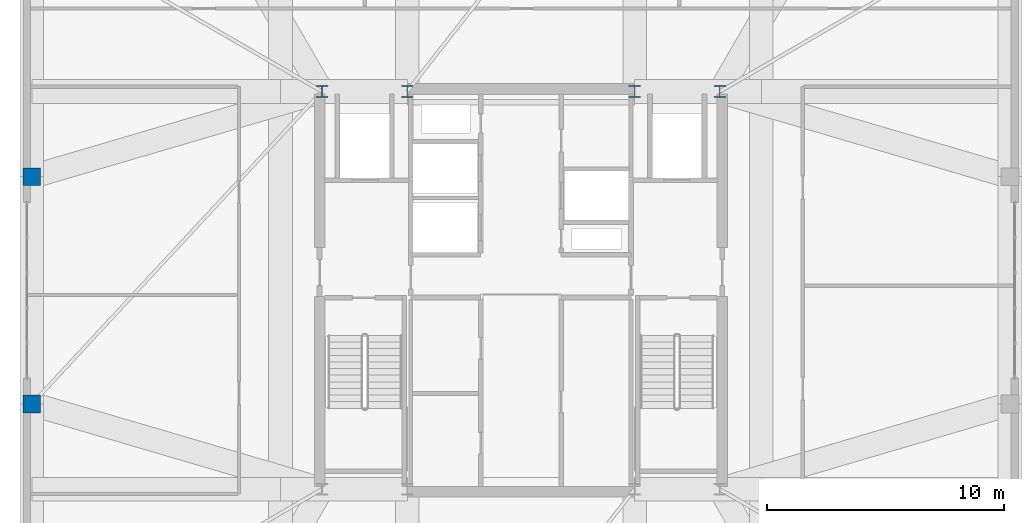
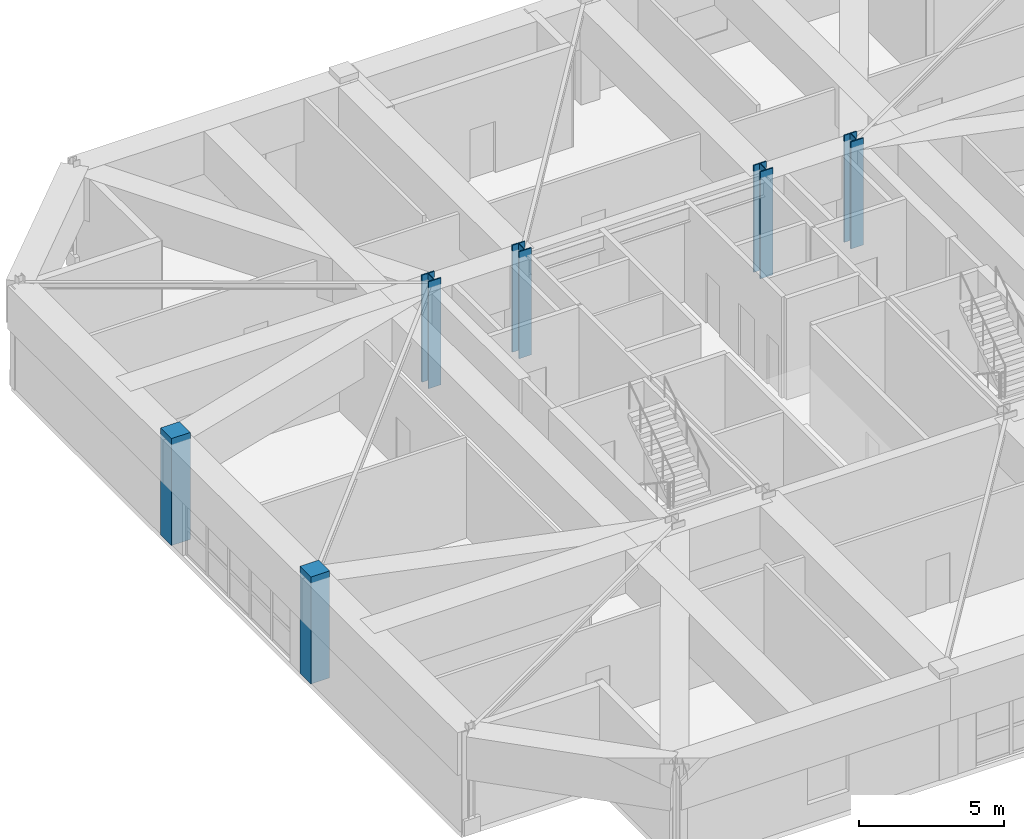
# One storey, part 2 of 17: 6 columns.
"""IFC4 building model written with IfcOpenShell, lengths in metres."""

import ifcopenshell
import ifcopenshell.guid

model = None  # the IFC model being written
_history = None  # IfcOwnerHistory: only IFC2X3 demands one
_inside = {}  # id of a spatial element -> (the spatial element, [elements in it])
_under = {}  # id of a project, library or spatial element -> (it, [spatial elements below it])
_declared = {}  # id of a project -> (the project, [libraries it declares])
_typed = {}  # id of a type object -> (the type object, [elements of that type])
_made_of = {}  # id of a material, layer set ... -> (it, [elements and type objects made of it])


def new_model(schema):
    """Start an empty IFC model of exactly this schema.

    Asked for "IFC4X3", IfcOpenShell would pick the latest addendum, in which some entities
    have other attributes; the version numbers below select the first issue.
    IFC2X3 requires an IfcOwnerHistory on every rooted entity: one is made here for all.
    """
    global model, _history
    if schema == "IFC4X3":
        model = ifcopenshell.file(schema_version=(4, 3, 0, 0))
    else:
        model = ifcopenshell.file(schema=schema)
    _inside.clear()
    _under.clear()
    _declared.clear()
    _typed.clear()
    _made_of.clear()
    _history = None
    if model.schema == "IFC2X3":
        org = make("IfcOrganization", Name="unknown")
        user = make(
            "IfcPersonAndOrganization",
            ThePerson=make("IfcPerson", FamilyName="unknown"),
            TheOrganization=org,
        )
        app = make(
            "IfcApplication",
            ApplicationDeveloper=org,
            Version="unknown",
            ApplicationFullName="unknown",
            ApplicationIdentifier="unknown",
        )
        _history = make(
            "IfcOwnerHistory",
            OwningUser=user,
            OwningApplication=app,
            ChangeAction="ADDED",
            CreationDate=0,
        )
    return model


def make(cls, **values):
    """One entity of the class cls with the attributes given. An attribute that is None is left unset."""
    return model.create_entity(
        cls, **{name: value for name, value in values.items() if value is not None}
    )


def rooted(cls, **values):
    """An entity with a GlobalId (a new one), such as an element, a storey or a relation."""
    return make(cls, GlobalId=ifcopenshell.guid.new(), OwnerHistory=_history, **values)


def si_unit(unit_type, name, prefix=None):
    """IfcSIUnit, for example si_unit("LENGTHUNIT", "METRE", prefix="MILLI")."""
    return make("IfcSIUnit", UnitType=unit_type, Prefix=prefix, Name=name)


def assignment(units):
    """IfcUnitAssignment: the units of a project."""
    return None if units is None else make("IfcUnitAssignment", Units=units)


def point(xyz):
    """IfcCartesianPoint."""
    return None if xyz is None else make("IfcCartesianPoint", Coordinates=xyz)


def direction(xyz):
    """IfcDirection."""
    return None if xyz is None else make("IfcDirection", DirectionRatios=xyz)


def frame(location, z_axis=None, x_axis=None):
    """IfcAxis2Placement3D, a coordinate frame: its origin and axes. An axis left out is left unset."""
    return make(
        "IfcAxis2Placement3D",
        Location=point(location),
        Axis=direction(z_axis),
        RefDirection=direction(x_axis),
    )


def frame_2d(location, x_axis=None):
    """IfcAxis2Placement2D, a coordinate frame in the plane: its origin and x axis."""
    return make(
        "IfcAxis2Placement2D", Location=point(location), RefDirection=direction(x_axis)
    )


def origin():
    """The frame at (0, 0, 0) with its axes left unset."""
    return frame((0.0, 0.0, 0.0))


def origin_2d():
    """The frame at (0, 0) in the plane with its x axis left unset."""
    return frame_2d((0.0, 0.0))


def place(relative_to, where):
    """IfcLocalPlacement: puts the frame where relative to a parent placement (None: the world)."""
    return make(
        "IfcLocalPlacement", PlacementRelTo=relative_to, RelativePlacement=where
    )


def context(
    kind, dimensions, precision=None, world=None, true_north=None, identifier=None
):
    """IfcGeometricRepresentationContext, for example the 3D "Model" context."""
    return make(
        "IfcGeometricRepresentationContext",
        ContextIdentifier=identifier,
        ContextType=kind,
        CoordinateSpaceDimension=dimensions,
        Precision=precision,
        WorldCoordinateSystem=world,
        TrueNorth=true_north,
    )


def subcontext(parent, identifier, kind, view, scale=None):
    """IfcGeometricRepresentationSubContext, for example "Body" below "Model"."""
    return make(
        "IfcGeometricRepresentationSubContext",
        ContextIdentifier=identifier,
        ContextType=kind,
        ParentContext=parent,
        TargetScale=scale,
        TargetView=view,
    )


def project(units=None, contexts=None):
    """IfcProject with its units and contexts."""
    return rooted(
        "IfcProject",
        Name="project",
        RepresentationContexts=contexts,
        UnitsInContext=assignment(units),
    )


def spatial(cls, under=None, at=None, **own):
    """A site, building, storey or space (cls), placed at a placement, below another one or the project."""
    s = rooted(cls, ObjectPlacement=at, **own)
    if under is not None:
        _under.setdefault(under.id(), (under, []))[1].append(s)
    return s


def profile(cls, at=None, kind="AREA", **sizes):
    """A parametric profile (cls). Its sizes go by their IFC names, for example OverallWidth=200.0."""
    return make(cls, ProfileType=kind, Position=at, **sizes)


def rectangle(**sizes):
    """IfcRectangleProfileDef."""
    return profile("IfcRectangleProfileDef", **sizes)


def i_section(**sizes):
    """IfcIShapeProfileDef."""
    return profile("IfcIShapeProfileDef", **sizes)


def extrude(swept, where, along, depth):
    """IfcExtrudedAreaSolid: the profile swept, set in the frame where, extruded along a direction by depth."""
    return make(
        "IfcExtrudedAreaSolid",
        SweptArea=swept,
        Position=where,
        ExtrudedDirection=direction(along),
        Depth=depth,
    )


def shape(context_of_items, identifier, shape_type, items):
    """IfcShapeRepresentation: the items that make up one representation, for example the "Body"."""
    return make(
        "IfcShapeRepresentation",
        ContextOfItems=context_of_items,
        RepresentationIdentifier=identifier,
        RepresentationType=shape_type,
        Items=items,
    )


def material(Name=None, Category=None):
    """IfcMaterial."""
    return make("IfcMaterial", Name=Name, Category=Category)


def material_profile(
    of_material, cross_section, Name=None, Category=None, Priority=None
):
    """IfcMaterialProfile: a cross section and its material."""
    return make(
        "IfcMaterialProfile",
        Name=Name,
        Material=of_material,
        Profile=cross_section,
        Priority=Priority,
        Category=Category,
    )


def profile_set(profiles, Name=None, composite=None):
    """IfcMaterialProfileSet."""
    return make(
        "IfcMaterialProfileSet",
        Name=Name,
        MaterialProfiles=profiles,
        CompositeProfile=composite,
    )


def made_of(thing, what):
    """Note that an element or type object is made of a material, layer set ...; save() writes the relation."""
    if what is not None:
        _made_of.setdefault(what.id(), (what, []))[1].append(thing)
    return thing


def type_object(cls, material=None, **own):
    """A type object (cls), such as IfcWallType, which elements share."""
    return made_of(rooted(cls, **own), material)


def element(
    cls,
    number,
    at=None,
    inside=None,
    cuts=None,
    type_object=None,
    material=None,
    context=None,
    identifier="Body",
    shape_type=None,
    held_by="IfcProductDefinitionShape",
    body=None,
    shapes=None,
    **own,
):
    """One element of the class cls, such as IfcWall. Its Tag is "e" and its number.

    at: its placement. inside: the storey or other place that contains it. cuts: it is an
    opening in that element (IfcRelVoidsElement). A single representation is given by context,
    identifier, shape_type and body (its items); several are given by shapes. held_by: the class
    of the entity that holds the representations. save() writes the other relations.
    """
    e = rooted(cls, Tag="e%d" % number, ObjectPlacement=at, **own)
    if body is not None:
        shapes = [shape(context, identifier, shape_type, body)]
    if shapes is not None:
        e.Representation = make(held_by, Representations=shapes)
    if inside is not None:
        _inside.setdefault(inside.id(), (inside, []))[1].append(e)
    if cuts is not None:
        rooted(
            "IfcRelVoidsElement", RelatingBuildingElement=cuts, RelatedOpeningElement=e
        )
    if type_object is not None:
        _typed.setdefault(type_object.id(), (type_object, []))[1].append(e)
    return made_of(e, material)


def aggregate(whole, parts):
    """IfcRelAggregates: a whole, such as a stair, and the parts it consists of."""
    return rooted("IfcRelAggregates", RelatingObject=whole, RelatedObjects=parts)


def save(model, path):
    """Write the relations noted so far, then the file.

    IfcRelAggregates (storeys below a building ...), IfcRelContainedInSpatialStructure (elements
    in a storey), IfcRelDefinesByType, IfcRelAssociatesMaterial and IfcRelDeclares: one each for
    every whole, place, type object, material and project.
    """
    for whole, parts in _under.values():
        aggregate(whole, parts)
    for where, things in _inside.values():
        rooted(
            "IfcRelContainedInSpatialStructure",
            RelatedElements=things,
            RelatingStructure=where,
        )
    for kind, things in _typed.values():
        rooted("IfcRelDefinesByType", RelatedObjects=things, RelatingType=kind)
    for what, things in _made_of.values():
        rooted("IfcRelAssociatesMaterial", RelatedObjects=things, RelatingMaterial=what)
    for by, libraries in _declared.values():
        rooted("IfcRelDeclares", RelatingContext=by, RelatedDefinitions=libraries)
    model.write(path)


model = new_model("IFC4")

# Units and contexts
model_context = context("Model", 3, precision=1e-05, world=origin(), true_north=direction((0.0, 1.0)))
body_context = subcontext(model_context, "Body", "Model", "MODEL_VIEW")
ifc_project = project(units=[si_unit("LENGTHUNIT", "METRE"), si_unit("AREAUNIT", "SQUARE_METRE"), si_unit("VOLUMEUNIT", "CUBIC_METRE"), si_unit("PLANEANGLEUNIT", "RADIAN"), si_unit("MASSUNIT", "GRAM", prefix="KILO")], contexts=[model_context])

# Site, building, storey
site_placement = place(None, origin())
site = spatial("IfcSite", under=ifc_project, at=site_placement, CompositionType="ELEMENT")
building_placement = place(site_placement, origin())
building = spatial("IfcBuilding", under=site, at=building_placement, Name="Cairnveth Concourse Tower", CompositionType="ELEMENT")
storey_placement = place(building_placement, frame((0.0, 0.0, 320.0)))
storey = spatial("IfcBuildingStorey", under=building, at=storey_placement, Name="L88", CompositionType="ELEMENT", Elevation=320.0)

# Columns
ifc_material_1 = material(Name="Concrete N50 (50 MPa)", Category="concrete")
ifc_material_profile_1 = material_profile(ifc_material_1, rectangle(XDim=0.75, YDim=0.75, at=origin_2d()), Name="RC-COL-750x750")
ifc_profile_set_1 = profile_set([ifc_material_profile_1], Name="Concrete N50 (50 MPa)")
column_type_1 = type_object("IfcColumnType", Name="PERIMETER PIER COLUMN 750X750", PredefinedType="COLUMN", material=ifc_profile_set_1)
for number, where, z_axis, x_axis, name in (
    (1, (31.35009765625, 43.800048828125, 0.0), (0.0, 0.0, 1.0), (0.0, 1.0, 0.0), "Column P-W2 L88"),
    (2, (31.35009765625, 34.199951171875, 0.0), (0.0, 0.0, 1.0), (0.0, 1.0, 0.0), "Column P-W3 L88"),
):
    element("IfcColumn", number, at=place(storey_placement, frame(where, z_axis=z_axis, x_axis=x_axis)), inside=storey, type_object=column_type_1, Name=name, PredefinedType="COLUMN", context=body_context, shape_type="SweptSolid", body=[
        extrude(rectangle(XDim=0.75, YDim=0.75, at=origin_2d()), origin(), (0.0, 0.0, 1.0), 4.5),
    ])
ifc_material_2 = material(Name="Steel Grade 350", Category="steel")
ifc_material_profile_2 = material_profile(ifc_material_2, i_section(OverallWidth=0.5, OverallDepth=0.5, WebThickness=0.028076171875, FlangeThickness=0.044921875, at=origin_2d()), Name="500WC383")
ifc_profile_set_2 = profile_set([ifc_material_profile_2], Name="Steel Grade 350")
column_type_2 = type_object("IfcColumnType", Name="WELDED STEEL COLUMN 500WC383", PredefinedType="COLUMN", material=ifc_profile_set_2)
for number, where, z_axis, x_axis, name in (
    (3, (43.60009765625, 47.39990234375, 0.0), (0.0, 0.0, 1.0), (1.0, 0.0, 0.0), "Column CC5 L88"),
    (4, (47.199951171875, 47.39990234375, 0.0), (0.0, 0.0, 1.0), (1.0, 0.0, 0.0), "Column CC6 L88"),
    (5, (56.800048828125, 47.39990234375, 0.0), (0.0, 0.0, 1.0), (1.0, 0.0, 0.0), "Column CC7 L88"),
    (6, (60.39990234375, 47.39990234375, 0.0), (0.0, 0.0, 1.0), (1.0, 0.0, 0.0), "Column CC8 L88"),
):
    element("IfcColumn", number, at=place(storey_placement, frame(where, z_axis=z_axis, x_axis=x_axis)), inside=storey, type_object=column_type_2, Name=name, PredefinedType="COLUMN", context=body_context, shape_type="SweptSolid", body=[
        extrude(i_section(OverallWidth=0.5, OverallDepth=0.5, WebThickness=0.028076171875, FlangeThickness=0.044921875, at=origin_2d()), origin(), (0.0, 0.0, 1.0), 4.5),
    ])

save(model, "model.ifc")
